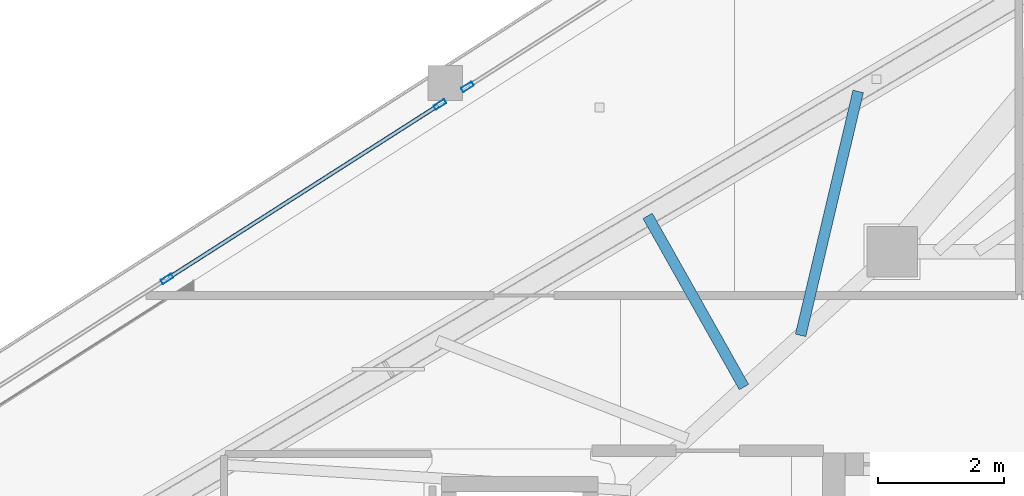
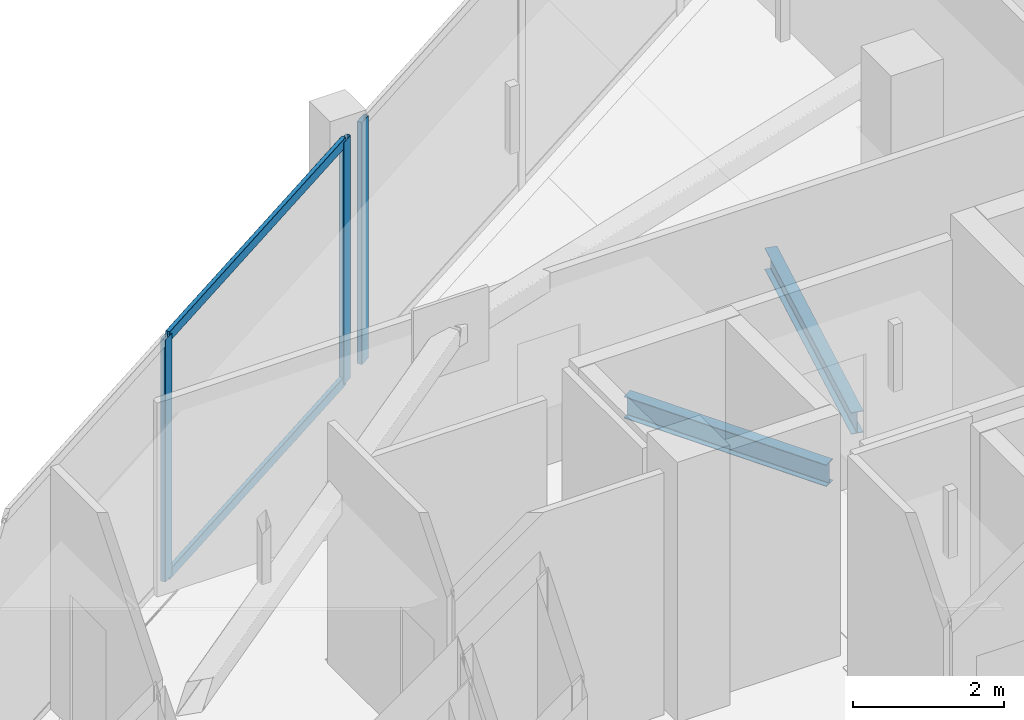
# One storey, part 12 of 25: 5 members, 2 beams, 2 elements without a shape of their own.
"""IFC4 building model written with IfcOpenShell, lengths in metres."""

from ifc_helpers import new_model, si_unit, direction, frame, origin, origin_2d, place, context, subcontext, project, spatial, hollow_rectangle, i_section, extrude, material, layer, layer_set, material_profile, profile_set, type_object, element, aggregate, save


model = new_model("IFC4")

# Units and contexts
model_context = context("Model", 3, precision=1e-05, world=origin(), true_north=direction((0.0, 1.0)))
body_context = subcontext(model_context, "Body", "Model", "MODEL_VIEW")
ifc_project = project(units=[si_unit("LENGTHUNIT", "METRE"), si_unit("AREAUNIT", "SQUARE_METRE"), si_unit("VOLUMEUNIT", "CUBIC_METRE"), si_unit("PLANEANGLEUNIT", "RADIAN"), si_unit("MASSUNIT", "GRAM", prefix="KILO")], contexts=[model_context])

# Site, building, storey
site_placement = place(None, origin())
site = spatial("IfcSite", under=ifc_project, at=site_placement, CompositionType="ELEMENT")
building_placement = place(site_placement, origin())
building = spatial("IfcBuilding", under=site, at=building_placement, Name="Qorvath Tower", CompositionType="ELEMENT")
storey_placement = place(building_placement, frame((0.0, 0.0, 314.39990234375)))
storey = spatial("IfcBuildingStorey", under=building, at=storey_placement, Name="L73", CompositionType="ELEMENT", Elevation=314.39990234375)

# Beams
ifc_material_1 = material(Name="Steel ASTM A992 Grade 50", Category="steel")
ifc_material_profile_1 = material_profile(ifc_material_1, i_section(OverallWidth=0.1708984375, OverallDepth=0.35107421875, WebThickness=0.0068359375, FlangeThickness=0.009765625, FilletRadius=0.010009765625, at=origin_2d()), Name="W14x30")
ifc_profile_set_1 = profile_set([ifc_material_profile_1], Name="Steel ASTM A992 Grade 50")
beam_type = type_object("IfcBeamType", Name="BM-FJ4", PredefinedType="JOIST", material=ifc_profile_set_1)
beam_1_placement = place(storey_placement, frame((-25.946044921875, 9.30810546875, -0.46533203125), z_axis=(-0.490626385489, 0.871370041866, 0.0), x_axis=(-0.871370041866, -0.490626385489, 0.0)))
element("IfcBeam", 1, at=beam_1_placement, inside=storey, type_object=beam_type, Name="Composite Floor Joist NW5 L73", PredefinedType="JOIST", context=body_context, shape_type="SweptSolid", body=[
    extrude(i_section(OverallWidth=0.1708984375, OverallDepth=0.35107421875, WebThickness=0.0068359375, FlangeThickness=0.009765625, FilletRadius=0.010009765625, at=origin_2d()), origin(), (0.0, 0.0, 1.0), 3.110595703125),
])
beam_2_placement = place(storey_placement, frame((-25.049072265625, 10.126953125, -0.46533203125), z_axis=(0.22966321917, 0.973270160726, 0.0), x_axis=(-0.973270160726, 0.22966321917, 0.0)))
element("IfcBeam", 2, at=beam_2_placement, inside=storey, type_object=beam_type, Name="Composite Floor Joist NW6 L73", PredefinedType="JOIST", context=body_context, shape_type="SweptSolid", body=[
    extrude(i_section(OverallWidth=0.1708984375, OverallDepth=0.35107421875, WebThickness=0.0068359375, FlangeThickness=0.009765625, FilletRadius=0.010009765625, at=origin_2d()), origin(), (0.0, 0.0, 1.0), 3.969482421875),
])

# Curtain wall, member
ifc_material_2 = material(Name="Anodised aluminium and triple low-E glass", Category="aluminium")
ifc_layer = layer(ifc_material_2, 0.179931640625)
ifc_layer_set = layer_set([ifc_layer], Name="CW-SYS-4")
curtain_wall_type = type_object("IfcCurtainWallType", Name="CW-SYS-4", PredefinedType="NOTDEFINED", material=ifc_layer_set)
curtain_wall_1_placement = place(storey_placement, origin())
curtain_wall_1 = element("IfcCurtainWall", 3, at=curtain_wall_1_placement, inside=storey, type_object=curtain_wall_type, Name="Curtain Wall CW-4 CW-T-L73-16.1", PredefinedType="NOTDEFINED")
ifc_material_3 = material(Name="Anodised aluminium 6063-T6", Category="aluminium")
ifc_material_profile_2 = material_profile(ifc_material_3, hollow_rectangle(XDim=0.074951171875, YDim=0.199951171875, WallThickness=0.00390625, InnerFilletRadius=0.00390625, OuterFilletRadius=0.008056640625, at=origin_2d()), Name="CWM 200x75")
ifc_profile_set_2 = profile_set([ifc_material_profile_2], Name="Anodised aluminium 6063-T6")
member_type_1 = type_object("IfcMemberType", Name="CWM-200", PredefinedType="MULLION", material=ifc_profile_set_2)
member_1_placement = place(storey_placement, frame((-30.32568359375, 14.06298828125, 0.0), z_axis=(0.0, 0.0, 1.0), x_axis=(0.538536451315, -0.842602213743, 0.0)))
member_1 = element("IfcMember", 4, at=member_1_placement, type_object=member_type_1, Name="CW-4 mullion 4", PredefinedType="MULLION", context=body_context, shape_type="SweptSolid", body=[
    extrude(hollow_rectangle(XDim=0.074951171875, YDim=0.199951171875, WallThickness=0.00390625, InnerFilletRadius=0.00390625, OuterFilletRadius=0.008056640625, at=origin_2d()), origin(), (0.0, 0.0, 1.0), 3.91015625),
])
aggregate(curtain_wall_1, [member_1])

# Curtain wall, members
curtain_wall_2_placement = place(storey_placement, origin())
curtain_wall_2 = element("IfcCurtainWall", 5, at=curtain_wall_2_placement, inside=storey, type_object=curtain_wall_type, Name="Curtain Wall CW-4 CW-T-L73-16.2", PredefinedType="NOTDEFINED")
member_2_placement = place(storey_placement, frame((-30.76171875, 13.783935546875, 0.0), z_axis=(0.0, 0.0, 1.0), x_axis=(0.538529844016, -0.842606436662, 0.0)))
member_2 = element("IfcMember", 6, at=member_2_placement, type_object=member_type_1, Name="CW-4 mullion 1", PredefinedType="MULLION", context=body_context, shape_type="SweptSolid", body=[
    extrude(hollow_rectangle(XDim=0.074951171875, YDim=0.199951171875, WallThickness=0.00390625, InnerFilletRadius=0.00390625, OuterFilletRadius=0.008056640625, at=origin_2d()), origin(), (0.0, 0.0, 1.0), 3.91015625),
])
member_3_placement = place(storey_placement, frame((-35.084228515625, 11.021484375, 0.0), z_axis=(0.0, 0.0, 1.0), x_axis=(0.538529844016, -0.842606436662, 0.0)))
member_3 = element("IfcMember", 7, at=member_3_placement, type_object=member_type_1, Name="CW-4 mullion 2", PredefinedType="MULLION", context=body_context, shape_type="SweptSolid", body=[
    extrude(hollow_rectangle(XDim=0.074951171875, YDim=0.199951171875, WallThickness=0.00390625, InnerFilletRadius=0.00390625, OuterFilletRadius=0.008056640625, at=origin_2d()), origin(), (0.0, 0.0, 1.0), 3.91015625),
])
ifc_material_4 = material(Name="Anodised aluminium 6063-T6", Category="aluminium")
ifc_material_profile_3 = material_profile(ifc_material_4, hollow_rectangle(XDim=0.06494140625, YDim=0.159912109375, WallThickness=0.00341796875, InnerFilletRadius=0.00341796875, OuterFilletRadius=0.007080078125, at=origin_2d()), Name="CWT 160x65")
ifc_profile_set_3 = profile_set([ifc_material_profile_3], Name="Anodised aluminium 6063-T6")
member_type_2 = type_object("IfcMemberType", Name="CWT-160", PredefinedType="USERDEFINED", material=ifc_profile_set_3)
member_4_placement = place(storey_placement, frame((-30.79345703125, 13.763916015625, 0.032470703125), z_axis=(-0.842587898885, -0.5385588479, 0.0), x_axis=(0.5385588479, -0.842587898885, 0.0)))
member_4 = element("IfcMember", 8, at=member_4_placement, type_object=member_type_2, Name="CW-4 transom 1.1", ObjectType="TRANSOM", PredefinedType="USERDEFINED", context=body_context, shape_type="SweptSolid", body=[
    extrude(hollow_rectangle(XDim=0.06494140625, YDim=0.159912109375, WallThickness=0.00341796875, InnerFilletRadius=0.00341796875, OuterFilletRadius=0.007080078125, at=origin_2d()), origin(), (0.0, 0.0, 1.0), 5.054931640625),
])
member_5_placement = place(storey_placement, frame((-30.79345703125, 13.763916015625, 3.877685546875), z_axis=(-0.842587898885, -0.5385588479, 0.0), x_axis=(0.5385588479, -0.842587898885, 0.0)))
member_5 = element("IfcMember", 9, at=member_5_placement, type_object=member_type_2, Name="CW-4 transom 1.2", ObjectType="TRANSOM", PredefinedType="USERDEFINED", context=body_context, shape_type="SweptSolid", body=[
    extrude(hollow_rectangle(XDim=0.06494140625, YDim=0.159912109375, WallThickness=0.00341796875, InnerFilletRadius=0.00341796875, OuterFilletRadius=0.007080078125, at=origin_2d()), origin(), (0.0, 0.0, 1.0), 5.054931640625),
])
aggregate(curtain_wall_2, [member_2, member_3, member_4, member_5])

save(model, "model.ifc")
